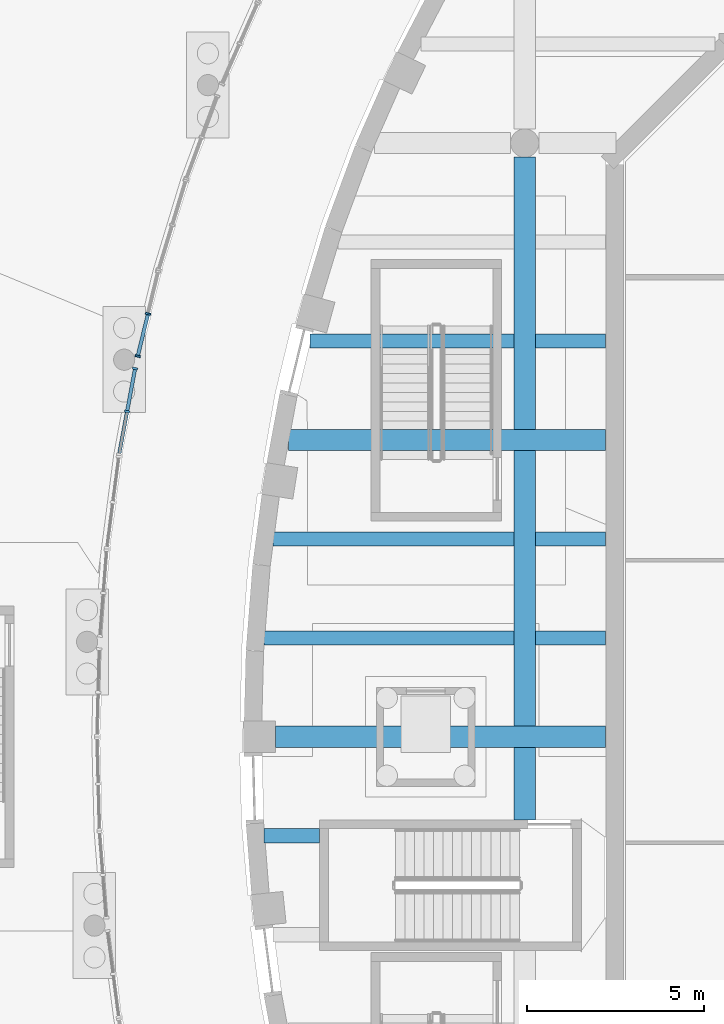
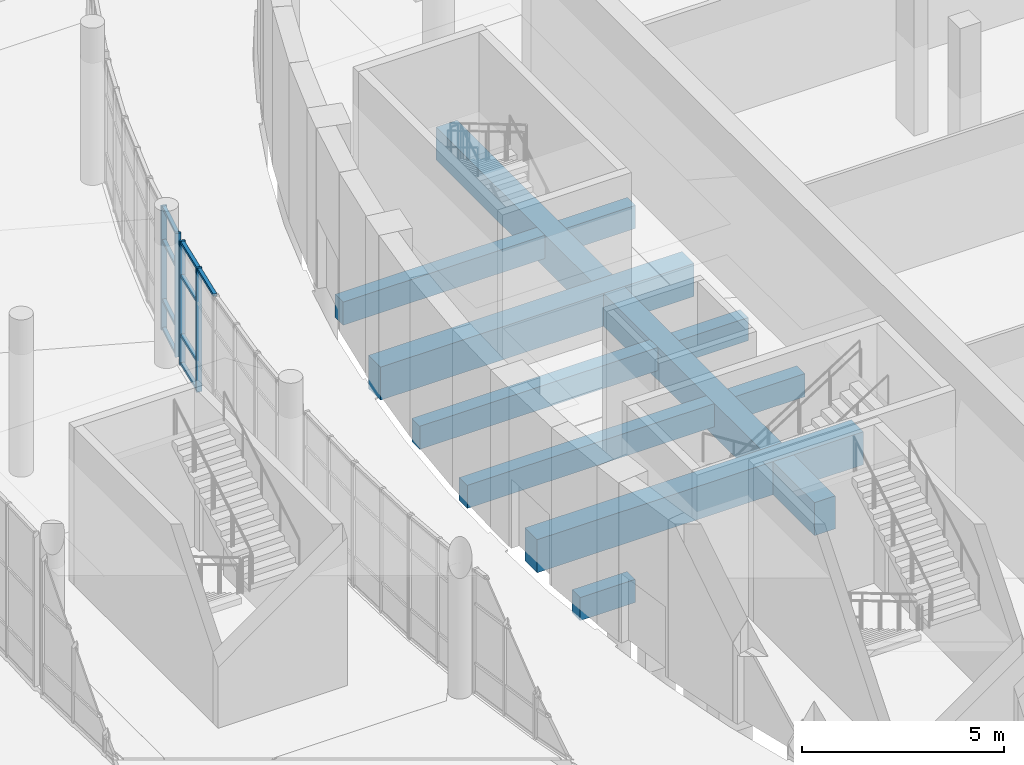
# One storey, part 24 of 110: 13 members, 10 beams, 2 elements without a shape of their own.
"""IFC4 building model written with IfcOpenShell, lengths in metres."""

from ifc_helpers import new_model, si_unit, direction, frame, origin, origin_2d, place, context, subcontext, project, spatial, rectangle, extrude, material, layer, layer_set, material_profile, profile_set, type_object, element, aggregate, save


model = new_model("IFC4")

# Units and contexts
model_context = context("Model", 3, precision=1e-05, world=origin(), true_north=direction((0.0, 1.0)))
body_context = subcontext(model_context, "Body", "Model", "MODEL_VIEW")
ifc_project = project(units=[si_unit("LENGTHUNIT", "METRE"), si_unit("AREAUNIT", "SQUARE_METRE"), si_unit("VOLUMEUNIT", "CUBIC_METRE"), si_unit("PLANEANGLEUNIT", "RADIAN"), si_unit("MASSUNIT", "GRAM", prefix="KILO")], contexts=[model_context])

# Site, building, storey
site_placement = place(None, origin())
site = spatial("IfcSite", under=ifc_project, at=site_placement, CompositionType="ELEMENT")
building_placement = place(site_placement, origin())
building = spatial("IfcBuilding", under=site, at=building_placement, Name="Larchfold Concert Hall", CompositionType="ELEMENT")
storey_placement = place(building_placement, origin())
storey = spatial("IfcBuildingStorey", under=building, at=storey_placement, Name="L00", CompositionType="ELEMENT", Elevation=0.0)

# Curtain wall, members
ifc_material_1 = material(Name="Anodised graphite aluminium curtain wall", Category="aluminium")
ifc_layer = layer(ifc_material_1, 0.14990234375)
ifc_layer_set = layer_set([ifc_layer], Name="Anodised graphite aluminium curtain wall")
curtain_wall_type = type_object("IfcCurtainWallType", Name="Curtain wall WG", PredefinedType="NOTDEFINED", material=ifc_layer_set)
curtain_wall_1_placement = place(storey_placement, origin())
curtain_wall_1 = element("IfcCurtainWall", 1, at=curtain_wall_1_placement, inside=storey, type_object=curtain_wall_type, Name="Curtain wall CW0074", PredefinedType="NOTDEFINED")
ifc_material_2 = material(Name="Anodised graphite aluminium mullion", Category="aluminium")
ifc_material_profile_1 = material_profile(ifc_material_2, rectangle(XDim=0.14990234375, YDim=0.06005859375, at=origin_2d()))
ifc_profile_set_1 = profile_set([ifc_material_profile_1], Name="Anodised graphite aluminium mullion")
member_type_1 = type_object("IfcMemberType", Name="Aluminium mullion 60x150", PredefinedType="MULLION", material=ifc_profile_set_1)
member_1_placement = place(storey_placement, frame((14.55029296875, 93.8046875, 0.0), z_axis=(0.0, 0.0, 1.0), x_axis=(-0.983232729264, 0.182355148282, 0.0)))
member_1 = element("IfcMember", 2, at=member_1_placement, type_object=member_type_1, Name="CW0074 mullion 2", PredefinedType="MULLION", context=body_context, shape_type="SweptSolid", body=[
    extrude(rectangle(XDim=0.14990234375, YDim=0.06005859375, at=origin_2d()), origin(), (0.0, 0.0, 1.0), 3.75),
])
member_2_placement = place(storey_placement, frame((14.77587890625, 95.019775390625, 0.0), z_axis=(0.0, 0.0, 1.0), x_axis=(-0.983232729264, 0.182355148282, 0.0)))
member_2 = element("IfcMember", 3, at=member_2_placement, type_object=member_type_1, Name="CW0074 mullion 3", PredefinedType="MULLION", context=body_context, shape_type="SweptSolid", body=[
    extrude(rectangle(XDim=0.14990234375, YDim=0.06005859375, at=origin_2d()), origin(), (0.0, 0.0, 1.0), 3.75),
])

curtain_wall_2_placement = place(storey_placement, origin())
curtain_wall_2 = element("IfcCurtainWall", 4, at=curtain_wall_2_placement, inside=storey, type_object=curtain_wall_type, Name="Curtain wall CW0075", PredefinedType="NOTDEFINED")
member_3_placement = place(storey_placement, frame((14.8515625, 95.371337890625, 0.0), z_axis=(0.0, 0.0, 1.0), x_axis=(-0.971761957722, 0.235963339363, 0.0)))
member_3 = element("IfcMember", 5, at=member_3_placement, type_object=member_type_1, Name="CW0075 mullion 1", PredefinedType="MULLION", context=body_context, shape_type="SweptSolid", body=[
    extrude(rectangle(XDim=0.14990234375, YDim=0.06005859375, at=origin_2d()), origin(), (0.0, 0.0, 1.0), 3.75),
])
member_4_placement = place(storey_placement, frame((15.141845703125, 96.56640625, 0.0), z_axis=(0.0, 0.0, 1.0), x_axis=(-0.971761957722, 0.235963339363, 0.0)))
member_4 = element("IfcMember", 6, at=member_4_placement, type_object=member_type_1, Name="CW0075 mullion 2", PredefinedType="MULLION", context=body_context, shape_type="SweptSolid", body=[
    extrude(rectangle(XDim=0.14990234375, YDim=0.06005859375, at=origin_2d()), origin(), (0.0, 0.0, 1.0), 3.75),
])

# Member
ifc_material_3 = material(Name="Anodised graphite aluminium transom", Category="aluminium")
ifc_material_profile_2 = material_profile(ifc_material_3, rectangle(XDim=0.10009765625, YDim=0.080078125, at=origin_2d()))
ifc_profile_set_2 = profile_set([ifc_material_profile_2], Name="Anodised graphite aluminium transom")
member_type_2 = type_object("IfcMemberType", Name="Aluminium transom 80x100", PredefinedType="USERDEFINED", material=ifc_profile_set_2)
member_5_placement = place(storey_placement, frame((14.33056640625, 92.619140625, 3.7099609375), z_axis=(0.18231976708, 0.983239290576, 0.0), x_axis=(-0.983239290576, 0.18231976708, 0.0)))
member_5 = element("IfcMember", 7, at=member_5_placement, type_object=member_type_2, Name="CW0074 transom 1.4", ObjectType="TRANSOM", PredefinedType="USERDEFINED", context=body_context, shape_type="SweptSolid", body=[
    extrude(rectangle(XDim=0.10009765625, YDim=0.080078125, at=origin_2d()), origin(), (0.0, 0.0, 1.0), 1.17578125),
])

member_6_placement = place(storey_placement, frame((14.555908203125, 93.834228515625, 0.0400390625), z_axis=(0.18231976708, 0.983239290576, 0.0), x_axis=(-0.983239290576, 0.18231976708, 0.0)))
member_6 = element("IfcMember", 8, at=member_6_placement, type_object=member_type_2, Name="CW0074 transom 2.1", ObjectType="TRANSOM", PredefinedType="USERDEFINED", context=body_context, shape_type="SweptSolid", body=[
    extrude(rectangle(XDim=0.10009765625, YDim=0.080078125, at=origin_2d()), origin(), (0.0, 0.0, 1.0), 1.17578125),
])

member_7_placement = place(storey_placement, frame((14.555908203125, 93.834228515625, 0.89990234375), z_axis=(0.18231976708, 0.983239290576, 0.0), x_axis=(-0.983239290576, 0.18231976708, 0.0)))
member_7 = element("IfcMember", 9, at=member_7_placement, type_object=member_type_2, Name="CW0074 transom 2.2", ObjectType="TRANSOM", PredefinedType="USERDEFINED", context=body_context, shape_type="SweptSolid", body=[
    extrude(rectangle(XDim=0.10009765625, YDim=0.080078125, at=origin_2d()), origin(), (0.0, 0.0, 1.0), 1.17578125),
])

member_8_placement = place(storey_placement, frame((14.555908203125, 93.834228515625, 2.699951171875), z_axis=(0.18231976708, 0.983239290576, 0.0), x_axis=(-0.983239290576, 0.18231976708, 0.0)))
member_8 = element("IfcMember", 10, at=member_8_placement, type_object=member_type_2, Name="CW0074 transom 2.3", ObjectType="TRANSOM", PredefinedType="USERDEFINED", context=body_context, shape_type="SweptSolid", body=[
    extrude(rectangle(XDim=0.10009765625, YDim=0.080078125, at=origin_2d()), origin(), (0.0, 0.0, 1.0), 1.17578125),
])

member_9_placement = place(storey_placement, frame((14.555908203125, 93.834228515625, 3.7099609375), z_axis=(0.18231976708, 0.983239290576, 0.0), x_axis=(-0.983239290576, 0.18231976708, 0.0)))
member_9 = element("IfcMember", 11, at=member_9_placement, type_object=member_type_2, Name="CW0074 transom 2.4", ObjectType="TRANSOM", PredefinedType="USERDEFINED", context=body_context, shape_type="SweptSolid", body=[
    extrude(rectangle(XDim=0.10009765625, YDim=0.080078125, at=origin_2d()), origin(), (0.0, 0.0, 1.0), 1.17578125),
])

aggregate(curtain_wall_1, [member_1, member_2, member_5, member_6, member_7, member_8, member_9])

member_10_placement = place(storey_placement, frame((14.858642578125, 95.400634765625, 0.0400390625), z_axis=(0.236048006379, 0.971741394963, 0.0), x_axis=(-0.971741394963, 0.236048006379, 0.0)))
member_10 = element("IfcMember", 12, at=member_10_placement, type_object=member_type_2, Name="CW0075 transom 1.1", ObjectType="TRANSOM", PredefinedType="USERDEFINED", context=body_context, shape_type="SweptSolid", body=[
    extrude(rectangle(XDim=0.10009765625, YDim=0.080078125, at=origin_2d()), origin(), (0.0, 0.0, 1.0), 1.169677734375),
])

member_11_placement = place(storey_placement, frame((14.858642578125, 95.400634765625, 0.89990234375), z_axis=(0.236048006379, 0.971741394963, 0.0), x_axis=(-0.971741394963, 0.236048006379, 0.0)))
member_11 = element("IfcMember", 13, at=member_11_placement, type_object=member_type_2, Name="CW0075 transom 1.2", ObjectType="TRANSOM", PredefinedType="USERDEFINED", context=body_context, shape_type="SweptSolid", body=[
    extrude(rectangle(XDim=0.10009765625, YDim=0.080078125, at=origin_2d()), origin(), (0.0, 0.0, 1.0), 1.169677734375),
])

member_12_placement = place(storey_placement, frame((14.858642578125, 95.400634765625, 2.699951171875), z_axis=(0.236048006379, 0.971741394963, 0.0), x_axis=(-0.971741394963, 0.236048006379, 0.0)))
member_12 = element("IfcMember", 14, at=member_12_placement, type_object=member_type_2, Name="CW0075 transom 1.3", ObjectType="TRANSOM", PredefinedType="USERDEFINED", context=body_context, shape_type="SweptSolid", body=[
    extrude(rectangle(XDim=0.10009765625, YDim=0.080078125, at=origin_2d()), origin(), (0.0, 0.0, 1.0), 1.169677734375),
])

member_13_placement = place(storey_placement, frame((14.858642578125, 95.400634765625, 3.7099609375), z_axis=(0.236048006379, 0.971741394963, 0.0), x_axis=(-0.971741394963, 0.236048006379, 0.0)))
member_13 = element("IfcMember", 15, at=member_13_placement, type_object=member_type_2, Name="CW0075 transom 1.4", ObjectType="TRANSOM", PredefinedType="USERDEFINED", context=body_context, shape_type="SweptSolid", body=[
    extrude(rectangle(XDim=0.10009765625, YDim=0.080078125, at=origin_2d()), origin(), (0.0, 0.0, 1.0), 1.169677734375),
])

aggregate(curtain_wall_2, [member_3, member_4, member_10, member_11, member_12, member_13])

# Beams
ifc_material_4 = material(Name="Concrete C35/45", Category="concrete")
ifc_material_profile_3 = material_profile(ifc_material_4, rectangle(XDim=0.39990234375, YDim=0.699951171875, at=origin_2d()))
ifc_profile_set_3 = profile_set([ifc_material_profile_3], Name="Concrete C35/45")
beam_type_1 = type_object("IfcBeamType", Name="Beam RC 400x700", PredefinedType="BEAM", material=ifc_profile_set_3)
beam_1_placement = place(storey_placement, frame((18.421875, 81.800048828125, -0.550048828125), z_axis=(1.0, 0.0, 0.0), x_axis=(0.0, 1.0, 0.0)))
element("IfcBeam", 16, at=beam_1_placement, inside=storey, type_object=beam_type_1, Name="Beam B1151", PredefinedType="BEAM", context=body_context, shape_type="SweptSolid", body=[
    extrude(rectangle(XDim=0.39990234375, YDim=0.699951171875, at=origin_2d()), origin(), (0.0, 0.0, 1.0), 1.578125),
])
beam_2_placement = place(storey_placement, frame((18.422119140625, 87.39990234375, -0.550048828125), z_axis=(1.0, 0.0, 0.0), x_axis=(0.0, 1.0, 0.0)))
element("IfcBeam", 17, at=beam_2_placement, inside=storey, type_object=beam_type_1, Name="Beam B1153", PredefinedType="BEAM", context=body_context, shape_type="SweptSolid", body=[
    extrude(rectangle(XDim=0.39990234375, YDim=0.699951171875, at=origin_2d()), origin(), (0.0, 0.0, 1.0), 7.077880859375),
])
beam_3_placement = place(storey_placement, frame((26.10009765625, 87.39990234375, -0.550048828125), z_axis=(1.0, 0.0, 0.0), x_axis=(0.0, 1.0, 0.0)))
element("IfcBeam", 18, at=beam_3_placement, inside=storey, type_object=beam_type_1, Name="Beam B1154", PredefinedType="BEAM", context=body_context, shape_type="SweptSolid", body=[
    extrude(rectangle(XDim=0.39990234375, YDim=0.699951171875, at=origin_2d()), origin(), (0.0, 0.0, 1.0), 1.989990234375),
])
beam_4_placement = place(storey_placement, frame((18.680419921875, 90.199951171875, -0.550048828125), z_axis=(1.0, 0.0, 0.0), x_axis=(0.0, 1.0, 0.0)))
element("IfcBeam", 19, at=beam_4_placement, inside=storey, type_object=beam_type_1, Name="Beam B1157", PredefinedType="BEAM", context=body_context, shape_type="SweptSolid", body=[
    extrude(rectangle(XDim=0.39990234375, YDim=0.699951171875, at=origin_2d()), origin(), (0.0, 0.0, 1.0), 6.819580078125),
])
beam_5_placement = place(storey_placement, frame((26.10009765625, 90.199951171875, -0.550048828125), z_axis=(1.0, 0.0, 0.0), x_axis=(0.0, 1.0, 0.0)))
element("IfcBeam", 20, at=beam_5_placement, inside=storey, type_object=beam_type_1, Name="Beam B1158", PredefinedType="BEAM", context=body_context, shape_type="SweptSolid", body=[
    extrude(rectangle(XDim=0.39990234375, YDim=0.699951171875, at=origin_2d()), origin(), (0.0, 0.0, 1.0), 1.989990234375),
])
beam_6_placement = place(storey_placement, frame((19.72021484375, 95.800048828125, -0.550048828125), z_axis=(1.0, 0.0, 0.0), x_axis=(0.0, 1.0, 0.0)))
element("IfcBeam", 21, at=beam_6_placement, inside=storey, type_object=beam_type_1, Name="Beam B1161", PredefinedType="BEAM", context=body_context, shape_type="SweptSolid", body=[
    extrude(rectangle(XDim=0.39990234375, YDim=0.699951171875, at=origin_2d()), origin(), (0.0, 0.0, 1.0), 5.77978515625),
])
beam_7_placement = place(storey_placement, frame((26.10009765625, 95.800048828125, -0.550048828125), z_axis=(1.0, 0.0, 0.0), x_axis=(0.0, 1.0, 0.0)))
element("IfcBeam", 22, at=beam_7_placement, inside=storey, type_object=beam_type_1, Name="Beam B1162", PredefinedType="BEAM", context=body_context, shape_type="SweptSolid", body=[
    extrude(rectangle(XDim=0.39990234375, YDim=0.699951171875, at=origin_2d()), origin(), (0.0, 0.0, 1.0), 1.989990234375),
])
ifc_material_5 = material(Name="Concrete C35/45", Category="concrete")
ifc_material_profile_4 = material_profile(ifc_material_5, rectangle(XDim=0.60009765625, YDim=1.0, at=origin_2d()))
ifc_profile_set_4 = profile_set([ifc_material_profile_4], Name="Concrete C35/45")
beam_type_2 = type_object("IfcBeamType", Name="Beam RC 600x1000", PredefinedType="BEAM", material=ifc_profile_set_4)
beam_8_placement = place(storey_placement, frame((25.800048828125, 82.25, -0.699951171875), z_axis=(0.0, 1.0, 0.0), x_axis=(-1.0, 0.0, 0.0)))
element("IfcBeam", 23, at=beam_8_placement, inside=storey, type_object=beam_type_2, Name="Beam B1108", PredefinedType="BEAM", context=body_context, shape_type="SweptSolid", body=[
    extrude(rectangle(XDim=0.60009765625, YDim=1.0, at=origin_2d()), origin(), (0.0, 0.0, 1.0), 18.751708984375),
])
beam_9_placement = place(storey_placement, frame((18.75, 84.60009765625, -0.699951171875), z_axis=(1.0, 0.0, 0.0), x_axis=(0.0, 1.0, 0.0)))
element("IfcBeam", 24, at=beam_9_placement, inside=storey, type_object=beam_type_2, Name="Beam B1124", PredefinedType="BEAM", context=body_context, shape_type="SweptSolid", body=[
    extrude(rectangle(XDim=0.60009765625, YDim=1.0, at=origin_2d()), origin(), (0.0, 0.0, 1.0), 9.340087890625),
])
beam_10_placement = place(storey_placement, frame((19.1103515625, 93.0, -0.699951171875), z_axis=(1.0, 0.0, 0.0), x_axis=(0.0, 1.0, 0.0)))
element("IfcBeam", 25, at=beam_10_placement, inside=storey, type_object=beam_type_2, Name="Beam B1126", PredefinedType="BEAM", context=body_context, shape_type="SweptSolid", body=[
    extrude(rectangle(XDim=0.60009765625, YDim=1.0, at=origin_2d()), origin(), (0.0, 0.0, 1.0), 8.979736328125),
])

save(model, "model.ifc")
